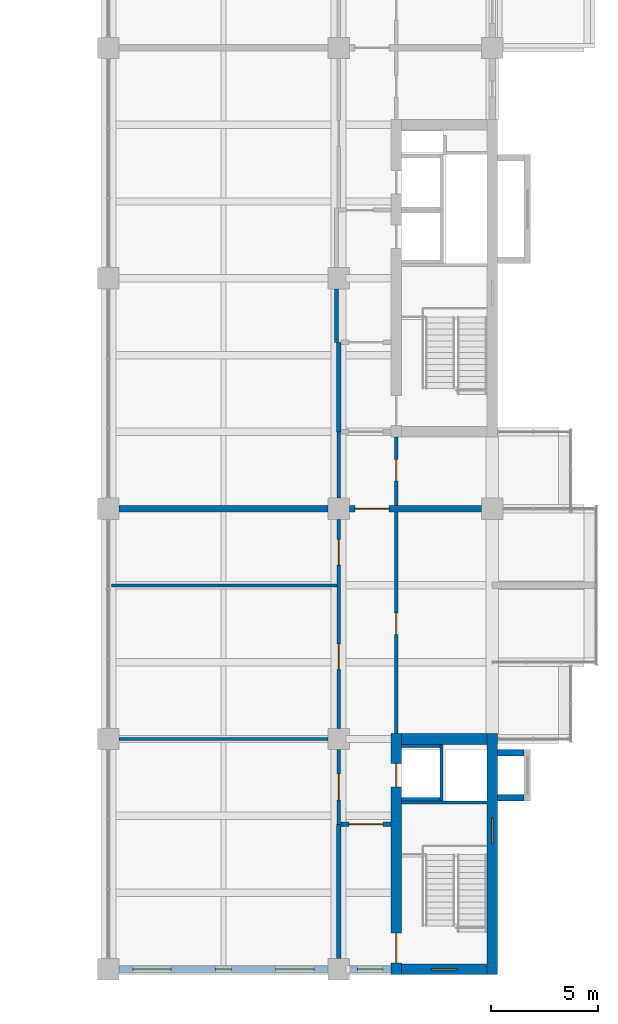
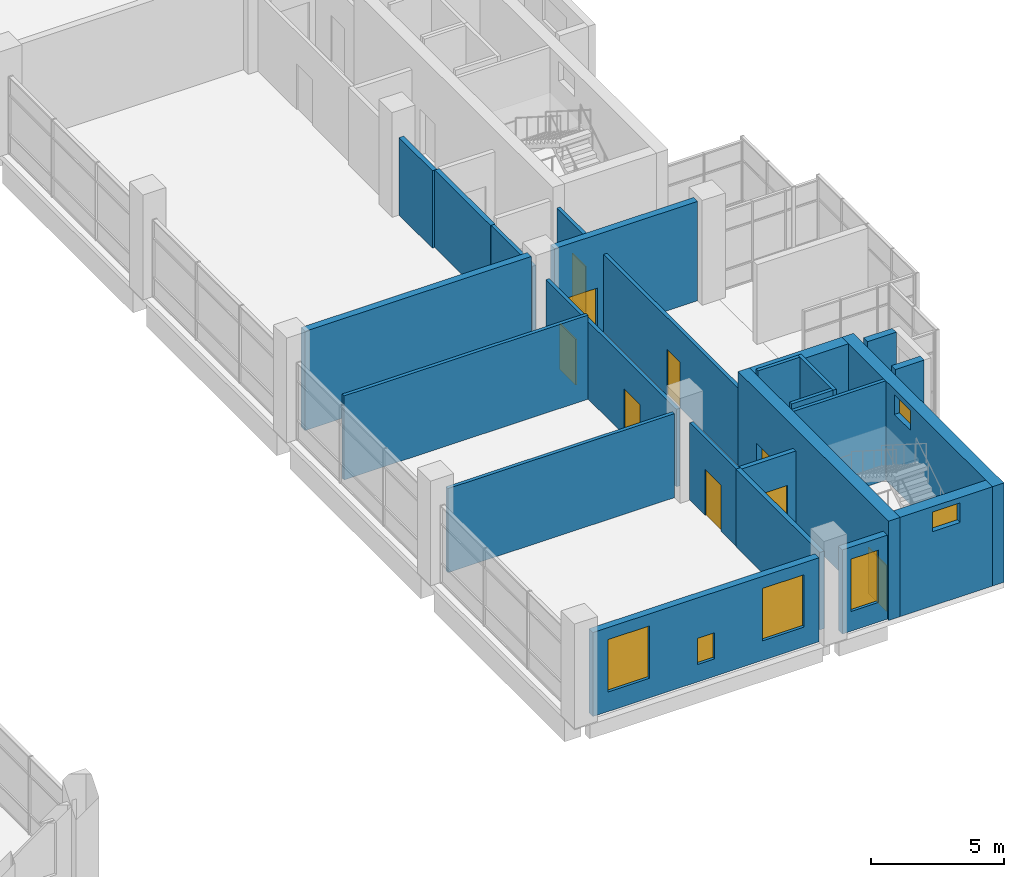
# One storey, part 22 of 30: 25 walls, 9 doors, 6 windows, 15 openings.
"""IFC4 building model written with IfcOpenShell, lengths in metres."""

from ifc_helpers import new_model, si_unit, direction, frame, frame_2d, origin, place, context, subcontext, project, spatial, rectangle, extrude, material, layer, layer_set, type_object, element, fill, save


model = new_model("IFC4")

# Units and contexts
model_context = context("Model", 3, precision=1e-05, world=origin(), true_north=direction((0.0, 1.0)))
body_context = subcontext(model_context, "Body", "Model", "MODEL_VIEW")
ifc_project = project(units=[si_unit("LENGTHUNIT", "METRE"), si_unit("AREAUNIT", "SQUARE_METRE"), si_unit("VOLUMEUNIT", "CUBIC_METRE"), si_unit("PLANEANGLEUNIT", "RADIAN"), si_unit("MASSUNIT", "GRAM", prefix="KILO")], contexts=[model_context])

# Site, building, storey
site_placement = place(None, origin())
site = spatial("IfcSite", under=ifc_project, at=site_placement, CompositionType="ELEMENT")
building_placement = place(site_placement, origin())
building = spatial("IfcBuilding", under=site, at=building_placement, Name="Basin Gate Institute", CompositionType="ELEMENT")
storey_placement = place(building_placement, frame((0.0, 0.0, 36.60009765625)))
storey = spatial("IfcBuildingStorey", under=building, at=storey_placement, Name="L07", CompositionType="ELEMENT", Elevation=36.60009765625)

# Wall, opening, door
ifc_material_1 = material(Name="Fire-rated masonry", Category="masonry")
ifc_layer_1 = layer(ifc_material_1, 0.199951171875)
ifc_layer_set_1 = layer_set([ifc_layer_1], Name="Enclosure wall PW2 200 EI 60")
wall_type_1 = type_object("IfcWallType", Name="Enclosure wall PW2 200 EI 60", PredefinedType="PARTITIONING", material=ifc_layer_set_1)
wall_1_placement = place(storey_placement, frame((114.050048828125, 41.89990234375, 0.0), z_axis=(0.0, 0.0, 1.0), x_axis=(-1.0, 0.0, 0.0)))
wall_1 = element("IfcWall", 1, at=wall_1_placement, inside=storey, type_object=wall_type_1, material=ifc_layer_set_1, Name="Smoke lobby enclosure wall PW2 L07", PredefinedType="PARTITIONING", context=body_context, shape_type="SweptSolid", body=[
    extrude(rectangle(XDim=2.35009765625, YDim=0.199951171875, at=frame_2d((1.175048828125, 0.0))), origin(), (0.0, 0.0, 1.0), 3.5498046875),
])
opening_1_placement = place(wall_1_placement, frame((0.375, 0.0, 0.0)))
opening_1 = element("IfcOpeningElement", 2, at=opening_1_placement, cuts=wall_1, Name="Opening DR338", PredefinedType="OPENING", context=body_context, shape_type="SweptSolid", body=[
    extrude(rectangle(XDim=1.60009765625, YDim=2.10009765625, at=frame_2d((0.800048828125, 1.050048828125))), frame((0.0, 0.10986328125, 0.0), z_axis=(0.0, -1.0, 0.0), x_axis=(1.0, 0.0, 0.0)), (0.0, 0.0, 1.0), 0.219970703125),
])
ifc_material_2 = material(Name="Steel fire door", Category="steel")
door_type_1 = type_object("IfcDoorType", Name="FD60 Smoke lobby door pair D8", OperationType="DOUBLE_DOOR_SINGLE_SWING", PredefinedType="DOOR", material=ifc_material_2)
door_1_placement = place(opening_1_placement, origin())
door_1 = element("IfcDoor", 3, at=door_1_placement, inside=storey, type_object=door_type_1, material=ifc_material_2, Name="Smoke lobby door SS4 L07", OperationType="DOUBLE_DOOR_SINGLE_SWING", OverallHeight=2.10009765625, OverallWidth=1.60009765625, PredefinedType="DOOR", context=body_context, shape_type="SweptSolid", body=[
    extrude(rectangle(XDim=1.60009765625, YDim=2.10009765625, at=frame_2d((0.800048828125, 1.050048828125))), frame((0.0, 0.02490234375, 0.0), z_axis=(0.0, -1.0, 0.0), x_axis=(1.0, 0.0, 0.0)), (0.0, 0.0, 1.0), 0.050048828125),
])
fill(opening_1, door_1)

# Walls
wall_2_placement = place(storey_placement, frame((111.60009765625, 35.60009765625, 0.0), z_axis=(0.0, 0.0, 1.0), x_axis=(0.0, 1.0, 0.0)))
element("IfcWall", 4, at=wall_2_placement, inside=storey, type_object=wall_type_1, material=ifc_layer_set_1, Name="Smoke lobby enclosure wall PW2 L07", PredefinedType="PARTITIONING", context=body_context, shape_type="SweptSolid", body=[
    extrude(rectangle(XDim=6.2998046875, YDim=0.199951171875, at=frame_2d((3.14990234375, 0.0))), origin(), (0.0, 0.0, 1.0), 3.5498046875),
])
wall_3_placement = place(storey_placement, frame((111.60009765625, 60.300048828125, 0.0), z_axis=(0.0, 0.0, 1.0), x_axis=(0.0, 1.0, 0.0)))
element("IfcWall", 5, at=wall_3_placement, inside=storey, type_object=wall_type_1, material=ifc_layer_set_1, Name="Smoke lobby enclosure wall PW2 L07", PredefinedType="PARTITIONING", context=body_context, shape_type="SweptSolid", body=[
    extrude(rectangle(XDim=4.199951171875, YDim=0.199951171875, at=frame_2d((2.10009765625, 0.0))), origin(), (0.0, 0.0, 1.0), 3.5498046875),
])
wall_4_placement = place(storey_placement, frame((111.5, 64.5, 0.0), z_axis=(0.0, 0.0, 1.0), x_axis=(0.0, 1.0, 0.0)))
element("IfcWall", 6, at=wall_4_placement, inside=storey, type_object=wall_type_1, material=ifc_layer_set_1, Name="Emergency lift lobby wall PW2 L07", PredefinedType="PARTITIONING", context=body_context, shape_type="SweptSolid", body=[
    extrude(rectangle(XDim=2.5, YDim=0.199951171875, at=frame_2d((1.25, 0.0))), origin(), (0.0, 0.0, 1.0), 3.5498046875),
])

# Wall, opening, window
ifc_material_3 = material(Name="Aluminium-faced insulated panel wall", Category="aluminium")
ifc_layer_2 = layer(ifc_material_3, 0.300048828125)
ifc_layer_set_2 = layer_set([ifc_layer_2], Name="External wall EW1 EI 120")
wall_type_2 = type_object("IfcWallType", Name="External wall EW1 EI 120", PredefinedType="STANDARD", material=ifc_layer_set_2)
wall_5_placement = place(storey_placement, frame((114.050048828125, 35.10009765625, 0.0), z_axis=(0.0, 0.0, 1.0), x_axis=(-1.0, 0.0, 0.0)))
wall_5 = element("IfcWall", 7, at=wall_5_placement, inside=storey, type_object=wall_type_2, material=ifc_layer_set_2, Name="External end wall E wing south L07 1", PredefinedType="STANDARD", context=body_context, shape_type="SweptSolid", body=[
    extrude(rectangle(XDim=1.949951171875, YDim=0.300048828125, at=frame_2d((0.97509765625, 0.0))), origin(), (0.0, 0.0, 1.0), 3.849853515625),
])
opening_2_placement = place(wall_5_placement, frame((0.375, 0.0, 0.89990234375)))
opening_2 = element("IfcOpeningElement", 8, at=opening_2_placement, cuts=wall_5, Name="Opening WN4", PredefinedType="OPENING", context=body_context, shape_type="SweptSolid", body=[
    extrude(rectangle(XDim=1.199951171875, YDim=2.39990234375, at=frame_2d((0.60009765625, 1.199951171875))), frame((0.0, 0.16015625, 0.0), z_axis=(0.0, -1.0, 0.0), x_axis=(1.0, 0.0, 0.0)), (0.0, 0.0, 1.0), 0.320068359375),
])
ifc_material_4 = material(Name="Aluminium-framed double glazing", Category="aluminium")
window_type_1 = type_object("IfcWindowType", Name="Corridor end window WN4", PartitioningType="SINGLE_PANEL", PredefinedType="WINDOW", material=ifc_material_4)
window_1_placement = place(opening_2_placement, origin())
window_1 = element("IfcWindow", 9, at=window_1_placement, inside=storey, type_object=window_type_1, material=ifc_material_4, Name="Corridor end window E wing S L07", OverallHeight=2.39990234375, OverallWidth=1.199951171875, PartitioningType="SINGLE_PANEL", PredefinedType="WINDOW", context=body_context, shape_type="SweptSolid", body=[
    extrude(rectangle(XDim=1.199951171875, YDim=2.39990234375, at=frame_2d((0.60009765625, 1.199951171875))), frame((0.0, 0.030029296875, 0.0), z_axis=(0.0, -1.0, 0.0), x_axis=(1.0, 0.0, 0.0)), (0.0, 0.0, 1.0), 0.06005859375),
])
fill(opening_2, window_1)

# Wall, openings, windows
wall_6_placement = place(storey_placement, frame((111.10009765625, 35.10009765625, 0.0), z_axis=(0.0, 0.0, 1.0), x_axis=(-1.0, 0.0, 0.0)))
wall_6 = element("IfcWall", 10, at=wall_6_placement, inside=storey, type_object=wall_type_2, material=ifc_layer_set_2, Name="External end wall E wing south L07 2", PredefinedType="STANDARD", context=body_context, shape_type="SweptSolid", body=[
    extrude(rectangle(XDim=9.800048828125, YDim=0.300048828125, at=frame_2d((4.89990234375, 0.0))), origin(), (0.0, 0.0, 1.0), 3.849853515625),
])
opening_3_placement = place(wall_6_placement, frame((0.64990234375, 0.0, 0.89990234375)))
opening_3 = element("IfcOpeningElement", 11, at=opening_3_placement, cuts=wall_6, Name="Opening WN1", PredefinedType="OPENING", context=body_context, shape_type="SweptSolid", body=[
    extrude(rectangle(XDim=1.800048828125, YDim=2.39990234375, at=frame_2d((0.89990234375, 1.199951171875))), frame((0.0, 0.16015625, 0.0), z_axis=(0.0, -1.0, 0.0), x_axis=(1.0, 0.0, 0.0)), (0.0, 0.0, 1.0), 0.320068359375),
])
opening_4_placement = place(wall_6_placement, frame((4.52490234375, 0.0, 0.800048828125)))
opening_4 = element("IfcOpeningElement", 12, at=opening_4_placement, cuts=wall_6, Name="Opening WN3", PredefinedType="OPENING", context=body_context, shape_type="SweptSolid", body=[
    extrude(rectangle(XDim=0.75, YDim=1.199951171875, at=frame_2d((0.375, 0.60009765625))), frame((0.0, 0.16015625, 0.0), z_axis=(0.0, -1.0, 0.0), x_axis=(1.0, 0.0, 0.0)), (0.0, 0.0, 1.0), 0.320068359375),
])
opening_5_placement = place(wall_6_placement, frame((7.35009765625, 0.0, 0.89990234375)))
opening_5 = element("IfcOpeningElement", 13, at=opening_5_placement, cuts=wall_6, Name="Opening WN1", PredefinedType="OPENING", context=body_context, shape_type="SweptSolid", body=[
    extrude(rectangle(XDim=1.800048828125, YDim=2.39990234375, at=frame_2d((0.89990234375, 1.199951171875))), frame((0.0, 0.16015625, 0.0), z_axis=(0.0, -1.0, 0.0), x_axis=(1.0, 0.0, 0.0)), (0.0, 0.0, 1.0), 0.320068359375),
])
ifc_material_5 = material(Name="Aluminium-framed double glazing", Category="aluminium")
window_type_2 = type_object("IfcWindowType", Name="Emergency entry panel WN3", PartitioningType="SINGLE_PANEL", PredefinedType="WINDOW", material=ifc_material_5)
window_2_placement = place(opening_4_placement, origin())
window_2 = element("IfcWindow", 14, at=window_2_placement, inside=storey, type_object=window_type_2, material=ifc_material_5, Name="Emergency entry panel E wing end S L07 bay 2", OverallHeight=1.199951171875, OverallWidth=0.75, PartitioningType="SINGLE_PANEL", PredefinedType="WINDOW", context=body_context, shape_type="SweptSolid", body=[
    extrude(rectangle(XDim=0.75, YDim=1.199951171875, at=frame_2d((0.375, 0.60009765625))), frame((0.0, 0.030029296875, 0.0), z_axis=(0.0, -1.0, 0.0), x_axis=(1.0, 0.0, 0.0)), (0.0, 0.0, 1.0), 0.06005859375),
])
fill(opening_4, window_2)
ifc_material_6 = material(Name="Aluminium-framed double glazing", Category="aluminium")
window_type_3 = type_object("IfcWindowType", Name="Facade window WN1", PartitioningType="SINGLE_PANEL", PredefinedType="WINDOW", material=ifc_material_6)
window_3_placement = place(opening_3_placement, origin())
window_3 = element("IfcWindow", 15, at=window_3_placement, inside=storey, type_object=window_type_3, material=ifc_material_6, Name="Facade window E wing end S L07 bay 1", OverallHeight=2.39990234375, OverallWidth=1.800048828125, PartitioningType="SINGLE_PANEL", PredefinedType="WINDOW", context=body_context, shape_type="SweptSolid", body=[
    extrude(rectangle(XDim=1.800048828125, YDim=2.39990234375, at=frame_2d((0.89990234375, 1.199951171875))), frame((0.0, 0.030029296875, 0.0), z_axis=(0.0, -1.0, 0.0), x_axis=(1.0, 0.0, 0.0)), (0.0, 0.0, 1.0), 0.06005859375),
])
fill(opening_3, window_3)
window_4_placement = place(opening_5_placement, origin())
window_4 = element("IfcWindow", 16, at=window_4_placement, inside=storey, type_object=window_type_3, material=ifc_material_6, Name="Facade window E wing end S L07 bay 3", OverallHeight=2.39990234375, OverallWidth=1.800048828125, PartitioningType="SINGLE_PANEL", PredefinedType="WINDOW", context=body_context, shape_type="SweptSolid", body=[
    extrude(rectangle(XDim=1.800048828125, YDim=2.39990234375, at=frame_2d((0.89990234375, 1.199951171875))), frame((0.0, 0.030029296875, 0.0), z_axis=(0.0, -1.0, 0.0), x_axis=(1.0, 0.0, 0.0)), (0.0, 0.0, 1.0), 0.06005859375),
])
fill(opening_5, window_4)

# Wall, opening, door
ifc_material_7 = material(Name="Gypsum board on steel stud", Category="steel")
ifc_layer_3 = layer(ifc_material_7, 0.14990234375)
ifc_layer_set_3 = layer_set([ifc_layer_3], Name="Gypsum board on steel stud")
wall_type_3 = type_object("IfcWallType", Name="Partition PW1 150 EI 60", PredefinedType="PARTITIONING", material=ifc_layer_set_3)
wall_7_placement = place(storey_placement, frame((114.300048828125, 46.14990234375, 0.0), z_axis=(0.0, 0.0, 1.0), x_axis=(0.0, 1.0, 0.0)))
wall_7 = element("IfcWall", 17, at=wall_7_placement, inside=storey, type_object=wall_type_3, material=ifc_layer_set_3, Name="Corridor wall PW1 L07", PredefinedType="PARTITIONING", context=body_context, shape_type="SweptSolid", body=[
    extrude(rectangle(XDim=10.400146484375, YDim=0.14990234375, at=frame_2d((5.2001953125, 0.0))), origin(), (0.0, 0.0, 1.0), 3.5498046875),
])
opening_6_placement = place(wall_7_placement, frame((4.64990234375, 0.0, 0.0)))
opening_6 = element("IfcOpeningElement", 18, at=opening_6_placement, cuts=wall_7, Name="Opening DR327", PredefinedType="OPENING", context=body_context, shape_type="SweptSolid", body=[
    extrude(rectangle(XDim=1.0, YDim=2.10009765625, at=frame_2d((0.5, 1.050048828125))), frame((0.0, 0.0849609375, 0.0), z_axis=(0.0, -1.0, 0.0), x_axis=(1.0, 0.0, 0.0)), (0.0, 0.0, 1.0), 0.169921875),
])
ifc_material_8 = material(Name="Timber fire door", Category="wood")
door_type_2 = type_object("IfcDoorType", Name="FD30 Office door D1", OperationType="NOTDEFINED", PredefinedType="DOOR", material=ifc_material_8)
door_2_placement = place(opening_6_placement, frame((1.0, 0.0, 0.0), z_axis=(0.0, 0.0, 1.0), x_axis=(-1.0, 0.0, 0.0)))
door_2 = element("IfcDoor", 19, at=door_2_placement, inside=storey, type_object=door_type_2, material=ifc_material_8, Name="Door to Seminar Room 0751 L07", OperationType="SINGLE_SWING_RIGHT", OverallHeight=2.10009765625, OverallWidth=1.0, PredefinedType="DOOR", context=body_context, shape_type="SweptSolid", body=[
    extrude(rectangle(XDim=1.0, YDim=2.10009765625, at=frame_2d((0.5, 1.050048828125))), frame((0.0, 0.02490234375, 0.0), z_axis=(0.0, -1.0, 0.0), x_axis=(1.0, 0.0, 0.0)), (0.0, 0.0, 1.0), 0.050048828125),
])
fill(opening_6, door_2)

wall_8_placement = place(storey_placement, frame((114.300048828125, 56.85009765625, 0.0), z_axis=(0.0, 0.0, 1.0), x_axis=(0.0, 1.0, 0.0)))
wall_8 = element("IfcWall", 20, at=wall_8_placement, inside=storey, type_object=wall_type_3, material=ifc_layer_set_3, Name="Corridor wall PW1 L07", PredefinedType="PARTITIONING", context=body_context, shape_type="SweptSolid", body=[
    extrude(rectangle(XDim=3.199951171875, YDim=0.14990234375, at=frame_2d((1.60009765625, 0.0))), origin(), (0.0, 0.0, 1.0), 3.5498046875),
])
opening_7_placement = place(wall_8_placement, frame((1.14990234375, 0.0, 0.0)))
opening_7 = element("IfcOpeningElement", 21, at=opening_7_placement, cuts=wall_8, Name="Opening DR328", PredefinedType="OPENING", context=body_context, shape_type="SweptSolid", body=[
    extrude(rectangle(XDim=1.0, YDim=2.10009765625, at=frame_2d((0.5, 1.050048828125))), frame((0.0, 0.0849609375, 0.0), z_axis=(0.0, -1.0, 0.0), x_axis=(1.0, 0.0, 0.0)), (0.0, 0.0, 1.0), 0.169921875),
])
ifc_material_9 = material(Name="Steel fire door", Category="steel")
door_type_3 = type_object("IfcDoorType", Name="FD30 Store door D4", OperationType="NOTDEFINED", PredefinedType="DOOR", material=ifc_material_9)
door_3_placement = place(opening_7_placement, frame((1.0, 0.0, 0.0), z_axis=(0.0, 0.0, 1.0), x_axis=(-1.0, 0.0, 0.0)))
door_3 = element("IfcDoor", 22, at=door_3_placement, inside=storey, type_object=door_type_3, material=ifc_material_9, Name="Door to Staff Tea Room 0752 L07", OperationType="SINGLE_SWING_LEFT", OverallHeight=2.10009765625, OverallWidth=1.0, PredefinedType="DOOR", context=body_context, shape_type="SweptSolid", body=[
    extrude(rectangle(XDim=1.0, YDim=2.10009765625, at=frame_2d((0.5, 1.050048828125))), frame((0.0, 0.02490234375, 0.0), z_axis=(0.0, -1.0, 0.0), x_axis=(1.0, 0.0, 0.0)), (0.0, 0.0, 1.0), 0.050048828125),
])
fill(opening_7, door_3)

wall_9_placement = place(storey_placement, frame((111.60009765625, 41.89990234375, 0.0), z_axis=(0.0, 0.0, 1.0), x_axis=(0.0, 1.0, 0.0)))
wall_9 = element("IfcWall", 23, at=wall_9_placement, inside=storey, type_object=wall_type_3, material=ifc_layer_set_3, Name="Laboratory corridor wall PW1 L07", PredefinedType="PARTITIONING", context=body_context, shape_type="SweptSolid", body=[
    extrude(rectangle(XDim=3.5, YDim=0.14990234375, at=frame_2d((1.75, 0.0))), origin(), (0.0, 0.0, 1.0), 3.5498046875),
])
opening_8_placement = place(wall_9_placement, frame((1.14990234375, 0.0, 0.0)))
opening_8 = element("IfcOpeningElement", 24, at=opening_8_placement, cuts=wall_9, Name="Opening DR331", PredefinedType="OPENING", context=body_context, shape_type="SweptSolid", body=[
    extrude(rectangle(XDim=1.199951171875, YDim=2.10009765625, at=frame_2d((0.60009765625, 1.050048828125))), frame((0.0, 0.0849609375, 0.0), z_axis=(0.0, -1.0, 0.0), x_axis=(1.0, 0.0, 0.0)), (0.0, 0.0, 1.0), 0.169921875),
])
ifc_material_10 = material(Name="Timber fire door", Category="wood")
door_type_4 = type_object("IfcDoorType", Name="FD30 Laboratory door D2", OperationType="DOUBLE_DOOR_SINGLE_SWING", PredefinedType="DOOR", material=ifc_material_10)
door_4_placement = place(opening_8_placement, origin())
door_4 = element("IfcDoor", 25, at=door_4_placement, inside=storey, type_object=door_type_4, material=ifc_material_10, Name="Door to Write-up Office 0765 L07", OperationType="DOUBLE_DOOR_SINGLE_SWING", OverallHeight=2.10009765625, OverallWidth=1.199951171875, PredefinedType="DOOR", context=body_context, shape_type="SweptSolid", body=[
    extrude(rectangle(XDim=1.199951171875, YDim=2.10009765625, at=frame_2d((0.60009765625, 1.050048828125))), frame((0.0, 0.02490234375, 0.0), z_axis=(0.0, -1.0, 0.0), x_axis=(1.0, 0.0, 0.0)), (0.0, 0.0, 1.0), 0.050048828125),
])
fill(opening_8, door_4)

# Wall, openings, doors
wall_10_placement = place(storey_placement, frame((111.60009765625, 46.39990234375, 0.0), z_axis=(0.0, 0.0, 1.0), x_axis=(0.0, 1.0, 0.0)))
wall_10 = element("IfcWall", 26, at=wall_10_placement, inside=storey, type_object=wall_type_3, material=ifc_layer_set_3, Name="Laboratory corridor wall PW1 L07", PredefinedType="PARTITIONING", context=body_context, shape_type="SweptSolid", body=[
    extrude(rectangle(XDim=9.800048828125, YDim=0.14990234375, at=frame_2d((4.89990234375, 0.0))), origin(), (0.0, 0.0, 1.0), 3.5498046875),
])
opening_9_placement = place(wall_10_placement, frame((2.75, 0.0, 0.0)))
opening_9 = element("IfcOpeningElement", 27, at=opening_9_placement, cuts=wall_10, Name="Opening DR332", PredefinedType="OPENING", context=body_context, shape_type="SweptSolid", body=[
    extrude(rectangle(XDim=1.199951171875, YDim=2.10009765625, at=frame_2d((0.60009765625, 1.050048828125))), frame((0.0, 0.0849609375, 0.0), z_axis=(0.0, -1.0, 0.0), x_axis=(1.0, 0.0, 0.0)), (0.0, 0.0, 1.0), 0.169921875),
])
opening_10_placement = place(wall_10_placement, frame((7.64990234375, 0.0, 0.0)))
opening_10 = element("IfcOpeningElement", 28, at=opening_10_placement, cuts=wall_10, Name="Opening DR333", PredefinedType="OPENING", context=body_context, shape_type="SweptSolid", body=[
    extrude(rectangle(XDim=1.199951171875, YDim=2.10009765625, at=frame_2d((0.60009765625, 1.050048828125))), frame((0.0, 0.0849609375, 0.0), z_axis=(0.0, -1.0, 0.0), x_axis=(1.0, 0.0, 0.0)), (0.0, 0.0, 1.0), 0.169921875),
])
door_5_placement = place(opening_9_placement, origin())
door_5 = element("IfcDoor", 29, at=door_5_placement, inside=storey, type_object=door_type_4, material=ifc_material_10, Name="Door to Write-up Office 0766 L07", OperationType="DOUBLE_DOOR_SINGLE_SWING", OverallHeight=2.10009765625, OverallWidth=1.199951171875, PredefinedType="DOOR", context=body_context, shape_type="SweptSolid", body=[
    extrude(rectangle(XDim=1.199951171875, YDim=2.10009765625, at=frame_2d((0.60009765625, 1.050048828125))), frame((0.0, 0.02490234375, 0.0), z_axis=(0.0, -1.0, 0.0), x_axis=(1.0, 0.0, 0.0)), (0.0, 0.0, 1.0), 0.050048828125),
])
fill(opening_9, door_5)
door_6_placement = place(opening_10_placement, origin())
door_6 = element("IfcDoor", 30, at=door_6_placement, inside=storey, type_object=door_type_4, material=ifc_material_10, Name="Door to Write-up Office 0767 L07", OperationType="DOUBLE_DOOR_SINGLE_SWING", OverallHeight=2.10009765625, OverallWidth=1.199951171875, PredefinedType="DOOR", context=body_context, shape_type="SweptSolid", body=[
    extrude(rectangle(XDim=1.199951171875, YDim=2.10009765625, at=frame_2d((0.60009765625, 1.050048828125))), frame((0.0, 0.02490234375, 0.0), z_axis=(0.0, -1.0, 0.0), x_axis=(1.0, 0.0, 0.0)), (0.0, 0.0, 1.0), 0.050048828125),
])
fill(opening_10, door_6)

# Walls
wall_11_placement = place(storey_placement, frame((111.60009765625, 57.199951171875, 0.0), z_axis=(0.0, 0.0, 1.0), x_axis=(0.0, 1.0, 0.0)))
element("IfcWall", 31, at=wall_11_placement, inside=storey, type_object=wall_type_3, material=ifc_layer_set_3, Name="Laboratory corridor wall PW1 L07", PredefinedType="PARTITIONING", context=body_context, shape_type="SweptSolid", body=[
    extrude(rectangle(XDim=3.10009765625, YDim=0.14990234375, at=frame_2d((1.550048828125, 0.0))), origin(), (0.0, 0.0, 1.0), 3.5498046875),
])
wall_12_placement = place(storey_placement, frame((111.10009765625, 45.89990234375, 0.0), z_axis=(0.0, 0.0, 1.0), x_axis=(-1.0, 0.0, 0.0)))
element("IfcWall", 32, at=wall_12_placement, inside=storey, type_object=wall_type_3, material=ifc_layer_set_3, Name="Laboratory partition PW1 L07", PredefinedType="PARTITIONING", context=body_context, shape_type="SweptSolid", body=[
    extrude(rectangle(XDim=9.800048828125, YDim=0.14990234375, at=frame_2d((4.89990234375, 0.0))), origin(), (0.0, 0.0, 1.0), 3.849853515625),
])
wall_13_placement = place(storey_placement, frame((111.52490234375, 53.10009765625, 0.0), z_axis=(0.0, 0.0, 1.0), x_axis=(-1.0, 0.0, 0.0)))
element("IfcWall", 33, at=wall_13_placement, inside=storey, type_object=wall_type_3, material=ifc_layer_set_3, Name="Laboratory partition PW1 L07", PredefinedType="PARTITIONING", context=body_context, shape_type="SweptSolid", body=[
    extrude(rectangle(XDim=10.574951171875, YDim=0.14990234375, at=frame_2d((5.28759765625, 0.0))), origin(), (0.0, 0.0, 1.0), 3.849853515625),
])
ifc_material_11 = material(Name="Concrete 40 MPa", Category="concrete")
ifc_layer_4 = layer(ifc_material_11, 0.14990234375)
ifc_layer_set_4 = layer_set([ifc_layer_4], Name="Concrete 40 MPa")
wall_type_4 = type_object("IfcWallType", Name="Wall LS1 lift shaft enclosure R120", PredefinedType="SOLIDWALL", material=ifc_layer_set_4)
wall_14_placement = place(storey_placement, frame((116.425048828125, 43.0, 0.0), z_axis=(0.0, 0.0, 1.0), x_axis=(0.0, 1.0, 0.0)))
element("IfcWall", 34, at=wall_14_placement, inside=storey, type_object=wall_type_4, material=ifc_layer_set_4, Name="Lift shaft enclosure LP4 L07 UL", PredefinedType="SOLIDWALL", context=body_context, shape_type="SweptSolid", body=[
    extrude(rectangle(XDim=2.64990234375, YDim=0.14990234375, at=frame_2d((1.324951171875, 0.0))), origin(), (0.0, 0.0, 1.0), 4.7998046875),
])
for number, where, z_axis, x_axis, name in (
    (35, (116.35009765625, 43.074951171875, 0.0), (0.0, 0.0, 1.0), (-1.0, 0.0, 0.0), "Lift shaft enclosure LP4 L07 RL"),
    (36, (116.35009765625, 45.574951171875, 0.0), (0.0, 0.0, 1.0), (-1.0, 0.0, 0.0), "Lift shaft enclosure LP4 L07 RH"),
):
    element("IfcWall", number, at=place(storey_placement, frame(where, z_axis=z_axis, x_axis=x_axis)), inside=storey, type_object=wall_type_4, material=ifc_layer_set_4, Name=name, PredefinedType="SOLIDWALL", context=body_context, shape_type="SweptSolid", body=[
        extrude(rectangle(XDim=1.800048828125, YDim=0.14990234375, at=frame_2d((0.89990234375, 0.0))), origin(), (0.0, 0.0, 1.0), 4.7998046875),
    ])
ifc_material_12 = material(Name="Concrete 40 MPa", Category="concrete")
ifc_layer_5 = layer(ifc_material_12, 0.14990234375)
ifc_layer_set_5 = layer_set([ifc_layer_5], Name="Concrete 40 MPa")
wall_type_5 = type_object("IfcWallType", Name="Wall SE1 stair enclosure R120", PredefinedType="SOLIDWALL", material=ifc_layer_set_5)
wall_15_placement = place(storey_placement, frame((118.550048828125, 42.925048828125, 0.0), z_axis=(0.0, 0.0, 1.0), x_axis=(-1.0, 0.0, 0.0)))
element("IfcWall", 37, at=wall_15_placement, inside=storey, type_object=wall_type_5, material=ifc_layer_set_5, Name="Stair enclosure wall ST-ES L07", PredefinedType="SOLIDWALL", context=body_context, shape_type="SweptSolid", body=[
    extrude(rectangle(XDim=4.0, YDim=0.14990234375, at=frame_2d((2.0, 0.0))), origin(), (0.0, 0.0, 1.0), 4.5498046875),
])
ifc_material_13 = material(Name="Concrete 50 MPa", Category="concrete")
ifc_layer_6 = layer(ifc_material_13, 0.300048828125)
ifc_layer_set_6 = layer_set([ifc_layer_6], Name="Concrete 50 MPa")
wall_type_6 = type_object("IfcWallType", Name="Wall SK1 R120", PredefinedType="SHEAR", material=ifc_layer_set_6)
for number, where, z_axis, x_axis, name in (
    (38, (119.050048828125, 43.14990234375, 0.0), (0.0, 0.0, 1.0), (1.0, 0.0, 0.0), "Spine riser stack wall SK1 ES A L07"),
    (39, (119.050048828125, 45.25, 0.0), (0.0, 0.0, 1.0), (1.0, 0.0, 0.0), "Spine riser stack wall SK1 ES B L07"),
):
    element("IfcWall", number, at=place(storey_placement, frame(where, z_axis=z_axis, x_axis=x_axis)), inside=storey, type_object=wall_type_6, material=ifc_layer_set_6, Name=name, PredefinedType="SHEAR", context=body_context, shape_type="SweptSolid", body=[
        extrude(rectangle(XDim=1.25, YDim=0.300048828125, at=frame_2d((0.625, 0.0))), origin(), (0.0, 0.0, 1.0), 4.7998046875),
    ])

# Wall, opening, window
ifc_material_14 = material(Name="Concrete 60 MPa", Category="concrete")
ifc_layer_7 = layer(ifc_material_14, 0.5)
ifc_layer_set_7 = layer_set([ifc_layer_7], Name="Concrete 60 MPa")
wall_type_7 = type_object("IfcWallType", Name="Wall SW1 R120", PredefinedType="SHEAR", material=ifc_layer_set_7)
wall_16_placement = place(storey_placement, frame((118.800048828125, 34.85009765625, 0.0), z_axis=(0.0, 0.0, 1.0), x_axis=(0.0, 1.0, 0.0)))
wall_16 = element("IfcWall", 40, at=wall_16_placement, inside=storey, type_object=wall_type_7, material=ifc_layer_set_7, Name="WALL/L07/ES/L", PredefinedType="SHEAR", context=body_context, shape_type="SweptSolid", body=[
    extrude(rectangle(XDim=11.2998046875, YDim=0.5, at=frame_2d((5.64990234375, 0.0))), origin(), (0.0, 0.0, 1.0), 4.5498046875),
])
opening_11_placement = place(wall_16_placement, frame((6.159912109375, 0.0, 3.39990234375)))
opening_11 = element("IfcOpeningElement", 41, at=opening_11_placement, cuts=wall_16, Name="Opening WT2", PredefinedType="OPENING", context=body_context, shape_type="SweptSolid", body=[
    extrude(rectangle(XDim=1.199951171875, YDim=0.89990234375, at=frame_2d((0.60009765625, 0.449951171875))), frame((0.0, 0.260009765625, 0.0), z_axis=(0.0, -1.0, 0.0), x_axis=(1.0, 0.0, 0.0)), (0.0, 0.0, 1.0), 0.52001953125),
])
ifc_material_15 = material(Name="Fire-resistant glazing in steel-free frame", Category="steel")
window_type_4 = type_object("IfcWindowType", Name="Rated stair window EI 120 WT2", PartitioningType="SINGLE_PANEL", PredefinedType="WINDOW", material=ifc_material_15)
window_5_placement = place(opening_11_placement, origin())
window_5 = element("IfcWindow", 42, at=window_5_placement, inside=storey, type_object=window_type_4, material=ifc_material_15, Name="Rated stair window EI 120 ES landing L07", OverallHeight=0.89990234375, OverallWidth=1.199951171875, PartitioningType="SINGLE_PANEL", PredefinedType="WINDOW", context=body_context, shape_type="SweptSolid", body=[
    extrude(rectangle(XDim=1.199951171875, YDim=0.89990234375, at=frame_2d((0.60009765625, 0.449951171875))), frame((0.0, 0.030029296875, 0.0), z_axis=(0.0, -1.0, 0.0), x_axis=(1.0, 0.0, 0.0)), (0.0, 0.0, 1.0), 0.06005859375),
])
fill(opening_11, window_5)

# Wall, openings, doors
wall_17_placement = place(storey_placement, frame((114.300048828125, 34.85009765625, 0.0), z_axis=(0.0, 0.0, 1.0), x_axis=(0.0, 1.0, 0.0)))
wall_17 = element("IfcWall", 43, at=wall_17_placement, inside=storey, type_object=wall_type_7, material=ifc_layer_set_7, Name="WALL/L07/ES/C", PredefinedType="SHEAR", context=body_context, shape_type="SweptSolid", body=[
    extrude(rectangle(XDim=11.2998046875, YDim=0.5, at=frame_2d((5.64990234375, 0.0))), origin(), (0.0, 0.0, 1.0), 4.5498046875),
])
opening_12_placement = place(wall_17_placement, frame((0.550048828125, 0.0, 0.0)))
opening_12 = element("IfcOpeningElement", 44, at=opening_12_placement, cuts=wall_17, Name="Opening DS046", PredefinedType="OPENING", context=body_context, shape_type="SweptSolid", body=[
    extrude(rectangle(XDim=1.39990234375, YDim=2.10009765625, at=frame_2d((0.699951171875, 1.050048828125))), frame((0.0, 0.260009765625, 0.0), z_axis=(0.0, -1.0, 0.0), x_axis=(1.0, 0.0, 0.0)), (0.0, 0.0, 1.0), 0.52001953125),
])
opening_13_placement = place(wall_17_placement, frame((8.800048828125, 0.0, 0.0)))
opening_13 = element("IfcOpeningElement", 45, at=opening_13_placement, cuts=wall_17, Name="Opening LD079", PredefinedType="OPENING", context=body_context, shape_type="SweptSolid", body=[
    extrude(rectangle(XDim=1.10009765625, YDim=2.10009765625, at=frame_2d((0.550048828125, 1.050048828125))), frame((0.0, 0.260009765625, 0.0), z_axis=(0.0, -1.0, 0.0), x_axis=(1.0, 0.0, 0.0)), (0.0, 0.0, 1.0), 0.52001953125),
])
ifc_material_16 = material(Name="Steel fire door", Category="steel")
door_type_5 = type_object("IfcDoorType", Name="FD30 Stair enclosure door DS", OperationType="DOUBLE_DOOR_SINGLE_SWING", PredefinedType="DOOR", material=ifc_material_16)
door_7_placement = place(opening_12_placement, frame((1.39990234375, 0.0, 0.0), z_axis=(0.0, 0.0, 1.0), x_axis=(-1.0, 0.0, 0.0)))
door_7 = element("IfcDoor", 46, at=door_7_placement, inside=storey, type_object=door_type_5, material=ifc_material_16, Name="Stair enclosure door ST-ES L07", OperationType="DOUBLE_DOOR_SINGLE_SWING", OverallHeight=2.10009765625, OverallWidth=1.39990234375, PredefinedType="DOOR", context=body_context, shape_type="SweptSolid", body=[
    extrude(rectangle(XDim=1.39990234375, YDim=2.10009765625, at=frame_2d((0.699951171875, 1.050048828125))), frame((0.0, 0.02490234375, 0.0), z_axis=(0.0, -1.0, 0.0), x_axis=(1.0, 0.0, 0.0)), (0.0, 0.0, 1.0), 0.050048828125),
])
fill(opening_12, door_7)
ifc_material_17 = material(Name="Stainless steel", Category="steel")
door_type_6 = type_object("IfcDoorType", Name="FD60 Lift landing door LD", OperationType="SLIDING_TO_LEFT", PredefinedType="DOOR", material=ifc_material_17)
door_8_placement = place(opening_13_placement, origin())
door_8 = element("IfcDoor", 47, at=door_8_placement, inside=storey, type_object=door_type_6, material=ifc_material_17, Name="Lift landing door LP4 L07", OperationType="SLIDING_TO_LEFT", OverallHeight=2.10009765625, OverallWidth=1.10009765625, PredefinedType="DOOR", context=body_context, shape_type="SweptSolid", body=[
    extrude(rectangle(XDim=1.10009765625, YDim=2.10009765625, at=frame_2d((0.550048828125, 1.050048828125))), frame((0.0, 0.02490234375, 0.0), z_axis=(0.0, -1.0, 0.0), x_axis=(1.0, 0.0, 0.0)), (0.0, 0.0, 1.0), 0.050048828125),
])
fill(opening_13, door_8)

# Wall, opening, window
wall_18_placement = place(storey_placement, frame((118.550048828125, 35.10009765625, 0.0), z_axis=(0.0, 0.0, 1.0), x_axis=(-1.0, 0.0, 0.0)))
wall_18 = element("IfcWall", 48, at=wall_18_placement, inside=storey, type_object=wall_type_7, material=ifc_layer_set_7, Name="WALL/L07/ES/S", PredefinedType="SHEAR", context=body_context, shape_type="SweptSolid", body=[
    extrude(rectangle(XDim=4.0, YDim=0.5, at=frame_2d((2.0, 0.0))), origin(), (0.0, 0.0, 1.0), 4.5498046875),
])
opening_14_placement = place(wall_18_placement, frame((1.39990234375, 0.0, 3.39990234375)))
opening_14 = element("IfcOpeningElement", 49, at=opening_14_placement, cuts=wall_18, Name="Opening WT2", PredefinedType="OPENING", context=body_context, shape_type="SweptSolid", body=[
    extrude(rectangle(XDim=1.199951171875, YDim=0.89990234375, at=frame_2d((0.60009765625, 0.449951171875))), frame((0.0, 0.260009765625, 0.0), z_axis=(0.0, -1.0, 0.0), x_axis=(1.0, 0.0, 0.0)), (0.0, 0.0, 1.0), 0.52001953125),
])
window_6_placement = place(opening_14_placement, origin())
window_6 = element("IfcWindow", 50, at=window_6_placement, inside=storey, type_object=window_type_4, material=ifc_material_15, Name="Rated stair window EI 120 ES end L07", OverallHeight=0.89990234375, OverallWidth=1.199951171875, PartitioningType="SINGLE_PANEL", PredefinedType="WINDOW", context=body_context, shape_type="SweptSolid", body=[
    extrude(rectangle(XDim=1.199951171875, YDim=0.89990234375, at=frame_2d((0.60009765625, 0.449951171875))), frame((0.0, 0.030029296875, 0.0), z_axis=(0.0, -1.0, 0.0), x_axis=(1.0, 0.0, 0.0)), (0.0, 0.0, 1.0), 0.06005859375),
])
fill(opening_14, window_6)

# Wall
wall_19_placement = place(storey_placement, frame((118.550048828125, 45.89990234375, 0.0), z_axis=(0.0, 0.0, 1.0), x_axis=(-1.0, 0.0, 0.0)))
element("IfcWall", 51, at=wall_19_placement, inside=storey, type_object=wall_type_7, material=ifc_layer_set_7, Name="WALL/L07/ES/N", PredefinedType="SHEAR", context=body_context, shape_type="SweptSolid", body=[
    extrude(rectangle(XDim=4.0, YDim=0.5, at=frame_2d((2.0, 0.0))), origin(), (0.0, 0.0, 1.0), 4.5498046875),
])

# Wall, opening, door
ifc_material_18 = material(Name="Concrete 50 MPa", Category="concrete")
ifc_layer_8 = layer(ifc_material_18, 0.300048828125)
ifc_layer_set_8 = layer_set([ifc_layer_8], Name="Concrete 50 MPa")
wall_type_8 = type_object("IfcWallType", Name="Wall XW1 R120", PredefinedType="SHEAR", material=ifc_layer_set_8)
wall_20_placement = place(storey_placement, frame((118.300048828125, 56.699951171875, 0.0), z_axis=(0.0, 0.0, 1.0), x_axis=(-1.0, 0.0, 0.0)))
wall_20 = element("IfcWall", 52, at=wall_20_placement, inside=storey, type_object=wall_type_8, material=ifc_layer_set_8, Name="WALL/L07/EXC/1", PredefinedType="SHEAR", context=body_context, shape_type="SweptSolid", body=[
    extrude(rectangle(XDim=6.199951171875, YDim=0.300048828125, at=frame_2d((3.10009765625, 0.0))), origin(), (0.0, 0.0, 1.0), 4.5498046875),
])
opening_15_placement = place(wall_20_placement, frame((4.33740234375, 0.0, 0.0)))
opening_15 = element("IfcOpeningElement", 53, at=opening_15_placement, cuts=wall_20, Name="Opening DR342", PredefinedType="OPENING", context=body_context, shape_type="SweptSolid", body=[
    extrude(rectangle(XDim=1.60009765625, YDim=2.10009765625, at=frame_2d((0.800048828125, 1.050048828125))), frame((0.0, 0.16015625, 0.0), z_axis=(0.0, -1.0, 0.0), x_axis=(1.0, 0.0, 0.0)), (0.0, 0.0, 1.0), 0.320068359375),
])
ifc_material_19 = material(Name="Steel fire door", Category="steel")
door_type_7 = type_object("IfcDoorType", Name="FD60 Compartment door pair D7", OperationType="DOUBLE_DOOR_SINGLE_SWING", PredefinedType="DOOR", material=ifc_material_19)
door_9_placement = place(opening_15_placement, frame((1.60009765625, 0.0, 0.0), z_axis=(0.0, 0.0, 1.0), x_axis=(-1.0, 0.0, 0.0)))
door_9 = element("IfcDoor", 54, at=door_9_placement, inside=storey, type_object=door_type_7, material=ifc_material_19, Name="Compartment door pair L07 E1 L07", OperationType="DOUBLE_DOOR_SINGLE_SWING", OverallHeight=2.10009765625, OverallWidth=1.60009765625, PredefinedType="DOOR", context=body_context, shape_type="SweptSolid", body=[
    extrude(rectangle(XDim=1.60009765625, YDim=2.10009765625, at=frame_2d((0.800048828125, 1.050048828125))), frame((0.0, 0.02490234375, 0.0), z_axis=(0.0, -1.0, 0.0), x_axis=(1.0, 0.0, 0.0)), (0.0, 0.0, 1.0), 0.050048828125),
])
fill(opening_15, door_9)

# Wall
wall_21_placement = place(storey_placement, frame((111.10009765625, 56.699951171875, 0.0), z_axis=(0.0, 0.0, 1.0), x_axis=(-1.0, 0.0, 0.0)))
element("IfcWall", 55, at=wall_21_placement, inside=storey, type_object=wall_type_8, material=ifc_layer_set_8, Name="WALL/L07/EXC/2", PredefinedType="SHEAR", context=body_context, shape_type="SweptSolid", body=[
    extrude(rectangle(XDim=9.800048828125, YDim=0.300048828125, at=frame_2d((4.89990234375, 0.0))), origin(), (0.0, 0.0, 1.0), 4.5498046875),
])

save(model, "model.ifc")
